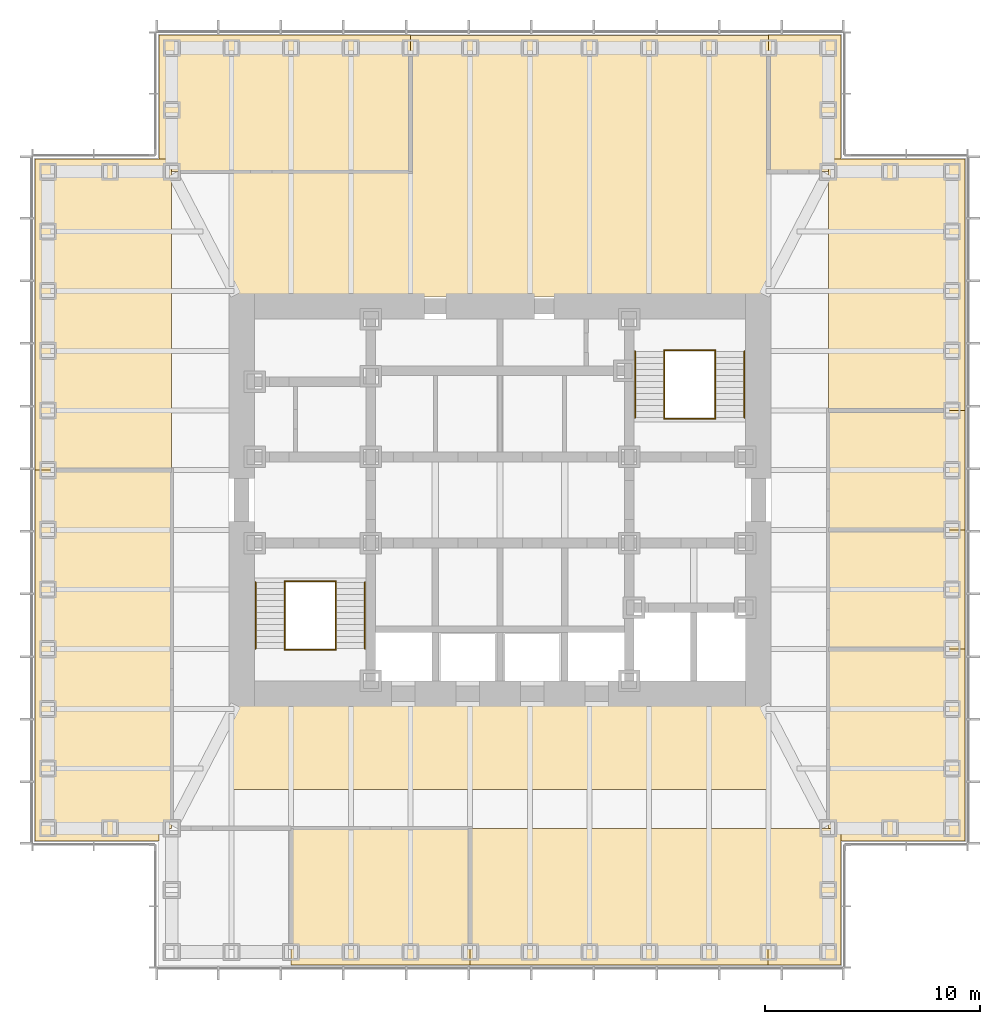
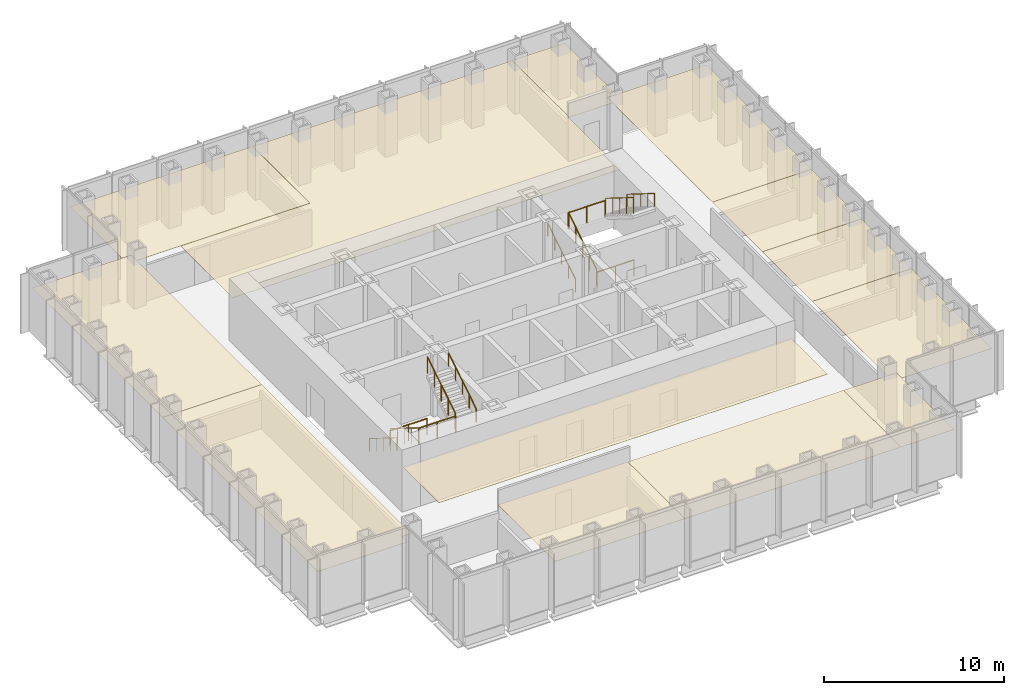
# One storey, part 16 of 16: 13 coverings, 12 railings.
"""IFC4 building model written with IfcOpenShell, lengths in metres."""

from ifc_helpers import new_model, si_unit, direction, frame, origin, origin_2d, place, context, subcontext, project, spatial, polyline, circle, outline, extrude, material, layer, layer_set, type_object, element, save


model = new_model("IFC4")

# Units and contexts
model_context = context("Model", 3, precision=1e-05, world=origin(), true_north=direction((0.0, 1.0)))
body_context = subcontext(model_context, "Body", "Model", "MODEL_VIEW")
ifc_project = project(units=[si_unit("LENGTHUNIT", "METRE"), si_unit("AREAUNIT", "SQUARE_METRE"), si_unit("VOLUMEUNIT", "CUBIC_METRE"), si_unit("PLANEANGLEUNIT", "RADIAN"), si_unit("MASSUNIT", "GRAM", prefix="KILO")], contexts=[model_context])

# Site, building, storey
site_placement = place(None, origin())
site = spatial("IfcSite", under=ifc_project, at=site_placement, CompositionType="ELEMENT")
building_placement = place(site_placement, origin())
building = spatial("IfcBuilding", under=site, at=building_placement, Name="Daluyong Arena Tower", CompositionType="ELEMENT")
storey_placement = place(building_placement, frame((0.0, 0.0, 275.5)))
storey = spatial("IfcBuildingStorey", under=building, at=storey_placement, Name="L62", CompositionType="ELEMENT", Elevation=275.5)

# Coverings
ifc_material_1 = material(Name="Mineral fibre ceiling tile", Category="gypsum board")
ifc_layer = layer(ifc_material_1, 0.02001953125)
ifc_layer_set = layer_set([ifc_layer], Name="Mineral fibre ceiling tile")
covering_type = type_object("IfcCoveringType", Name="Office ceiling", PredefinedType="CEILING", material=ifc_layer_set)
covering_1_placement = place(storey_placement, frame((0.0, 0.0, 2.89990234375)))
element("IfcCovering", 1, at=covering_1_placement, inside=storey, type_object=covering_type, Name="ceiling L62-02", PredefinedType="CEILING", context=body_context, shape_type="SweptSolid", body=[
    extrude(outline(polyline([(46.29541015625, 64.75), (46.29541015625, 58.39990234375), (54.613525390625, 58.39990234375), (54.613525390625, 64.75), (46.29541015625, 64.75)])), origin(), (0.0, 0.0, 1.0), 0.02001953125),
])
covering_2_placement = place(storey_placement, frame((0.0, 0.0, 2.89990234375)))
element("IfcCovering", 2, at=covering_2_placement, inside=storey, type_object=covering_type, Name="ceiling L62-03", PredefinedType="CEILING", context=body_context, shape_type="SweptSolid", body=[
    extrude(outline(polyline([(71.85009765625, 64.14990234375), (77.60009765625, 64.14990234375), (77.60009765625, 73.068115234375), (71.25, 73.068115234375), (71.25, 64.75), (71.85009765625, 64.75), (71.85009765625, 64.14990234375)])), origin(), (0.0, 0.0, 1.0), 0.02001953125),
])
covering_3_placement = place(storey_placement, frame((0.0, 0.0, 2.89990234375)))
element("IfcCovering", 3, at=covering_3_placement, inside=storey, type_object=covering_type, Name="ceiling L62-04", PredefinedType="CEILING", context=body_context, shape_type="SweptSolid", body=[
    extrude(outline(polyline([(71.25, 73.068115234375), (77.60009765625, 73.068115234375), (77.60009765625, 78.613525390625), (71.25, 78.613525390625), (71.25, 73.068115234375)])), origin(), (0.0, 0.0, 1.0), 0.02001953125),
])
covering_4_placement = place(storey_placement, frame((0.0, 0.0, 2.89990234375)))
element("IfcCovering", 4, at=covering_4_placement, inside=storey, type_object=covering_type, Name="ceiling L62-05", PredefinedType="CEILING", context=body_context, shape_type="SweptSolid", body=[
    extrude(outline(polyline([(71.25, 78.613525390625), (77.60009765625, 78.613525390625), (77.60009765625, 84.1591796875), (71.25, 84.1591796875), (71.25, 78.613525390625)])), origin(), (0.0, 0.0, 1.0), 0.02001953125),
])
covering_5_placement = place(storey_placement, frame((0.0, 0.0, 2.89990234375)))
element("IfcCovering", 5, at=covering_5_placement, inside=storey, type_object=covering_type, Name="ceiling L62-06", PredefinedType="CEILING", context=body_context, shape_type="SweptSolid", body=[
    extrude(outline(polyline([(51.8408203125, 95.25), (51.8408203125, 101.60009765625), (40.14990234375, 101.60009765625), (40.14990234375, 95.85009765625), (40.75, 95.85009765625), (40.75, 95.25), (51.8408203125, 95.25)])), origin(), (0.0, 0.0, 1.0), 0.02001953125),
])
covering_6_placement = place(storey_placement, frame((0.0, 0.0, 2.89990234375)))
element("IfcCovering", 6, at=covering_6_placement, inside=storey, type_object=covering_type, Name="ceiling L62-07", PredefinedType="CEILING", context=body_context, shape_type="SweptSolid", body=[
    extrude(outline(polyline([(68.477294921875, 95.25), (71.25, 95.25), (71.25, 95.85009765625), (71.85009765625, 95.85009765625), (71.85009765625, 101.60009765625), (68.477294921875, 101.60009765625), (68.477294921875, 95.25)])), origin(), (0.0, 0.0, 1.0), 0.02001953125),
])
covering_7_placement = place(storey_placement, frame((0.0, 0.0, 2.89990234375)))
element("IfcCovering", 7, at=covering_7_placement, inside=storey, type_object=covering_type, Name="ceiling L62-08", PredefinedType="CEILING", context=body_context, shape_type="SweptSolid", body=[
    extrude(outline(polyline([(34.39990234375, 64.14990234375), (40.14990234375, 64.14990234375), (40.14990234375, 64.75), (40.75, 64.75), (40.75, 81.386474609375), (34.39990234375, 81.386474609375), (34.39990234375, 64.14990234375)])), origin(), (0.0, 0.0, 1.0), 0.02001953125),
])
covering_8_placement = place(storey_placement, frame((0.0, 0.0, 2.89990234375)))
element("IfcCovering", 8, at=covering_8_placement, inside=storey, type_object=covering_type, Name="ceiling L62-10", PredefinedType="CEILING", context=body_context, shape_type="SweptSolid", body=[
    extrude(outline(polyline([(54.613525390625, 58.39990234375), (68.449951171875, 58.39990234375), (68.449951171875, 64.75), (54.613525390625, 64.75), (54.613525390625, 58.39990234375)])), origin(), (0.0, 0.0, 1.0), 0.02001953125),
])
covering_9_placement = place(storey_placement, frame((0.0, 0.0, 2.89990234375)))
element("IfcCovering", 9, at=covering_9_placement, inside=storey, type_object=covering_type, Name="ceiling L62-11", PredefinedType="CEILING", context=body_context, shape_type="SweptSolid", body=[
    extrude(outline(polyline([(68.449951171875, 66.550048828125), (68.449951171875, 70.550048828125), (43.550048828125, 70.550048828125), (43.550048828125, 66.550048828125), (68.449951171875, 66.550048828125)])), origin(), (0.0, 0.0, 1.0), 0.02001953125),
])
covering_10_placement = place(storey_placement, frame((0.0, 0.0, 2.89990234375)))
element("IfcCovering", 10, at=covering_10_placement, inside=storey, type_object=covering_type, Name="ceiling L62-12", PredefinedType="CEILING", context=body_context, shape_type="SweptSolid", body=[
    extrude(outline(polyline([(71.25, 95.85009765625), (71.25, 84.1591796875), (77.60009765625, 84.1591796875), (77.60009765625, 95.85009765625), (71.25, 95.85009765625)])), origin(), (0.0, 0.0, 1.0), 0.02001953125),
])
covering_11_placement = place(storey_placement, frame((0.0, 0.0, 2.89990234375)))
element("IfcCovering", 11, at=covering_11_placement, inside=storey, type_object=covering_type, Name="ceiling L62-13", PredefinedType="CEILING", context=body_context, shape_type="SweptSolid", body=[
    extrude(outline(polyline([(71.85009765625, 64.75), (68.449951171875, 64.75), (68.449951171875, 58.39990234375), (71.85009765625, 58.39990234375), (71.85009765625, 64.75)])), origin(), (0.0, 0.0, 1.0), 0.02001953125),
])
covering_12_placement = place(storey_placement, frame((0.0, 0.0, 2.89990234375)))
element("IfcCovering", 12, at=covering_12_placement, inside=storey, type_object=covering_type, Name="ceiling L62-14", PredefinedType="CEILING", context=body_context, shape_type="SweptSolid", body=[
    extrude(outline(polyline([(68.449462890625, 101.590087890625), (51.850830078125, 101.590087890625), (51.850830078125, 95.239990234375), (43.56005859375, 95.239990234375), (43.56005859375, 89.4599609375), (68.43994140625, 89.4599609375), (68.43994140625, 95.25), (68.477294921875, 95.250244140625), (68.477294921875, 101.60009765625), (68.449951171875, 101.60009765625), (68.449462890625, 101.590087890625)])), origin(), (0.0, 0.0, 1.0), 0.02001953125),
])
covering_13_placement = place(storey_placement, frame((0.0, 0.0, 2.89990234375)))
element("IfcCovering", 13, at=covering_13_placement, inside=storey, type_object=covering_type, Name="ceiling L62-15", PredefinedType="CEILING", context=body_context, shape_type="SweptSolid", body=[
    extrude(outline(polyline([(40.75, 95.85009765625), (34.39990234375, 95.85009765625), (34.39990234375, 81.386474609375), (40.75, 81.386474609375), (40.75, 95.85009765625)])), origin(), (0.0, 0.0, 1.0), 0.02001953125),
])

# Railings
ifc_material_2 = material(Name="Stainless steel handrail", Category="steel")
railing_type_1 = type_object("IfcRailingType", Name="Stair handrail", PredefinedType="HANDRAIL", material=ifc_material_2)
railing_1_placement = place(storey_placement, frame((44.64990234375, 76.175048828125, 0.175048828125)))
element("IfcRailing", 14, at=railing_1_placement, inside=storey, type_object=railing_type_1, Name="exit stair A handrail L62", PredefinedType="HANDRAIL", context=body_context, shape_type="SweptSolid", body=[
    extrude(circle(Radius=0.02392578125, at=origin_2d()), frame((0.0, 0.0, 0.8759765625), z_axis=(0.0, -0.847998304005, 0.529998940003), x_axis=(1.0, 0.0, 0.0)), (0.0, 0.0, 1.0), 3.632080078125),
    extrude(circle(Radius=0.02099609375, at=origin_2d()), origin(), (0.0, 0.0, 1.0), 0.851806640625),
    extrude(circle(Radius=0.02099609375, at=origin_2d()), frame((0.0, -0.77001953125, 0.481201171875)), (0.0, 0.0, 1.0), 0.851806640625),
    extrude(circle(Radius=0.02099609375, at=origin_2d()), frame((0.0, -1.5400390625, 0.96240234375)), (0.0, 0.0, 1.0), 0.851806640625),
    extrude(circle(Radius=0.02099609375, at=origin_2d()), frame((0.0, -2.31005859375, 1.44384765625)), (0.0, 0.0, 1.0), 0.851806640625),
    extrude(circle(Radius=0.02099609375, at=origin_2d()), frame((0.0, -3.080078125, 1.925048828125)), (0.0, 0.0, 1.0), 0.851806640625),
])
for number, where, name in (
    (15, (49.72509765625, 73.094970703125, 2.27490234375), "exit stair A handrail L62"),
    (16, (62.27490234375, 83.824951171875, 0.175048828125), "exit stair B handrail L62"),
):
    element("IfcRailing", number, at=place(storey_placement, frame(where)), inside=storey, type_object=railing_type_1, Name=name, PredefinedType="HANDRAIL", context=body_context, shape_type="SweptSolid", body=[
        extrude(circle(Radius=0.02392578125, at=origin_2d()), frame((0.0, 0.0, 0.8759765625), z_axis=(0.0, 0.847998304005, 0.529998940003), x_axis=(-1.0, 0.0, 0.0)), (0.0, 0.0, 1.0), 3.632080078125),
        extrude(circle(Radius=0.02099609375, at=origin_2d()), origin(), (0.0, 0.0, 1.0), 0.851806640625),
        extrude(circle(Radius=0.02099609375, at=origin_2d()), frame((0.0, 0.77001953125, 0.481201171875)), (0.0, 0.0, 1.0), 0.851806640625),
        extrude(circle(Radius=0.02099609375, at=origin_2d()), frame((0.0, 1.5400390625, 0.96240234375)), (0.0, 0.0, 1.0), 0.851806640625),
        extrude(circle(Radius=0.02099609375, at=origin_2d()), frame((0.0, 2.31005859375, 1.44384765625)), (0.0, 0.0, 1.0), 0.851806640625),
        extrude(circle(Radius=0.02099609375, at=origin_2d()), frame((0.0, 3.080078125, 1.925048828125)), (0.0, 0.0, 1.0), 0.851806640625),
    ])
railing_2_placement = place(storey_placement, frame((67.35009765625, 86.905029296875, 2.27490234375)))
element("IfcRailing", 17, at=railing_2_placement, inside=storey, type_object=railing_type_1, Name="exit stair B handrail L62", PredefinedType="HANDRAIL", context=body_context, shape_type="SweptSolid", body=[
    extrude(circle(Radius=0.02392578125, at=origin_2d()), frame((0.0, 0.0, 0.8759765625), z_axis=(0.0, -0.847998304005, 0.529998940003), x_axis=(1.0, 0.0, 0.0)), (0.0, 0.0, 1.0), 3.632080078125),
    extrude(circle(Radius=0.02099609375, at=origin_2d()), origin(), (0.0, 0.0, 1.0), 0.851806640625),
    extrude(circle(Radius=0.02099609375, at=origin_2d()), frame((0.0, -0.77001953125, 0.481201171875)), (0.0, 0.0, 1.0), 0.851806640625),
    extrude(circle(Radius=0.02099609375, at=origin_2d()), frame((0.0, -1.5400390625, 0.96240234375)), (0.0, 0.0, 1.0), 0.851806640625),
    extrude(circle(Radius=0.02099609375, at=origin_2d()), frame((0.0, -2.31005859375, 1.44384765625)), (0.0, 0.0, 1.0), 0.851806640625),
    extrude(circle(Radius=0.02099609375, at=origin_2d()), frame((0.0, -3.080078125, 1.925048828125)), (0.0, 0.0, 1.0), 0.851806640625),
])
ifc_material_3 = material(Name="Steel balustrade", Category="steel")
railing_type_2 = type_object("IfcRailingType", Name="Stair well guard 1100", PredefinedType="GUARDRAIL", material=ifc_material_3)
railing_3_placement = place(storey_placement, frame((46.0, 76.175048828125, 0.175048828125)))
element("IfcRailing", 18, at=railing_3_placement, inside=storey, type_object=railing_type_2, Name="exit stair A well guard L62", PredefinedType="GUARDRAIL", context=body_context, shape_type="SweptSolid", body=[
    extrude(circle(Radius=0.02392578125, at=origin_2d()), frame((0.0, 0.0, 1.076171875), z_axis=(0.0, -0.847998304005, 0.529998940003), x_axis=(1.0, 0.0, 0.0)), (0.0, 0.0, 1.0), 3.632080078125),
    extrude(circle(Radius=0.02099609375, at=origin_2d()), origin(), (0.0, 0.0, 1.0), 1.052001953125),
    extrude(circle(Radius=0.02099609375, at=origin_2d()), frame((0.0, -0.77001953125, 0.481201171875)), (0.0, 0.0, 1.0), 1.052001953125),
    extrude(circle(Radius=0.02099609375, at=origin_2d()), frame((0.0, -1.5400390625, 0.96240234375)), (0.0, 0.0, 1.0), 1.052001953125),
    extrude(circle(Radius=0.02099609375, at=origin_2d()), frame((0.0, -2.31005859375, 1.44384765625)), (0.0, 0.0, 1.0), 1.052001953125),
    extrude(circle(Radius=0.02099609375, at=origin_2d()), frame((0.0, -3.080078125, 1.925048828125)), (0.0, 0.0, 1.0), 1.052001953125),
])
railing_4_placement = place(storey_placement, frame((48.375, 73.094970703125, 2.27490234375)))
element("IfcRailing", 19, at=railing_4_placement, inside=storey, type_object=railing_type_2, Name="exit stair A well guard L62", PredefinedType="GUARDRAIL", context=body_context, shape_type="SweptSolid", body=[
    extrude(circle(Radius=0.02392578125, at=origin_2d()), frame((0.0, 0.0, 1.076171875), z_axis=(0.0, 0.847998304005, 0.529998940003), x_axis=(-1.0, 0.0, 0.0)), (0.0, 0.0, 1.0), 3.632080078125),
    extrude(circle(Radius=0.02099609375, at=origin_2d()), origin(), (0.0, 0.0, 1.0), 1.052001953125),
    extrude(circle(Radius=0.02099609375, at=origin_2d()), frame((0.0, 0.77001953125, 0.481201171875)), (0.0, 0.0, 1.0), 1.052001953125),
    extrude(circle(Radius=0.02099609375, at=origin_2d()), frame((0.0, 1.5400390625, 0.96240234375)), (0.0, 0.0, 1.0), 1.052001953125),
    extrude(circle(Radius=0.02099609375, at=origin_2d()), frame((0.0, 2.31005859375, 1.44384765625)), (0.0, 0.0, 1.0), 1.052001953125),
    extrude(circle(Radius=0.02099609375, at=origin_2d()), frame((0.0, 3.080078125, 1.925048828125)), (0.0, 0.0, 1.0), 1.052001953125),
])
for number, where, name in (
    (20, (46.0, 73.044921875, 2.10009765625), "exit stair A landing guard L62"),
    (21, (46.0, 76.22509765625, 0.0), "exit stair A floor landing guard L62"),
):
    element("IfcRailing", number, at=place(storey_placement, frame(where)), inside=storey, type_object=railing_type_2, Name=name, PredefinedType="GUARDRAIL", context=body_context, shape_type="SweptSolid", body=[
        extrude(circle(Radius=0.02392578125, at=origin_2d()), frame((0.0, 0.0, 1.076171875), z_axis=(1.0, 0.0, 0.0), x_axis=(0.0, 1.0, 0.0)), (0.0, 0.0, 1.0), 2.375),
        extrude(circle(Radius=0.02099609375, at=origin_2d()), origin(), (0.0, 0.0, 1.0), 1.052001953125),
        extrude(circle(Radius=0.02099609375, at=origin_2d()), frame((1.1875, 0.0, 0.0)), (0.0, 0.0, 1.0), 1.052001953125),
        extrude(circle(Radius=0.02099609375, at=origin_2d()), frame((2.375, 0.0, 0.0)), (0.0, 0.0, 1.0), 1.052001953125),
    ])
railing_5_placement = place(storey_placement, frame((63.625, 83.824951171875, 0.175048828125)))
element("IfcRailing", 22, at=railing_5_placement, inside=storey, type_object=railing_type_2, Name="exit stair B well guard L62", PredefinedType="GUARDRAIL", context=body_context, shape_type="SweptSolid", body=[
    extrude(circle(Radius=0.02392578125, at=origin_2d()), frame((0.0, 0.0, 1.076171875), z_axis=(0.0, 0.847998304005, 0.529998940003), x_axis=(-1.0, 0.0, 0.0)), (0.0, 0.0, 1.0), 3.632080078125),
    extrude(circle(Radius=0.02099609375, at=origin_2d()), origin(), (0.0, 0.0, 1.0), 1.052001953125),
    extrude(circle(Radius=0.02099609375, at=origin_2d()), frame((0.0, 0.77001953125, 0.481201171875)), (0.0, 0.0, 1.0), 1.052001953125),
    extrude(circle(Radius=0.02099609375, at=origin_2d()), frame((0.0, 1.5400390625, 0.96240234375)), (0.0, 0.0, 1.0), 1.052001953125),
    extrude(circle(Radius=0.02099609375, at=origin_2d()), frame((0.0, 2.31005859375, 1.44384765625)), (0.0, 0.0, 1.0), 1.052001953125),
    extrude(circle(Radius=0.02099609375, at=origin_2d()), frame((0.0, 3.080078125, 1.925048828125)), (0.0, 0.0, 1.0), 1.052001953125),
])
railing_6_placement = place(storey_placement, frame((66.0, 86.905029296875, 2.27490234375)))
element("IfcRailing", 23, at=railing_6_placement, inside=storey, type_object=railing_type_2, Name="exit stair B well guard L62", PredefinedType="GUARDRAIL", context=body_context, shape_type="SweptSolid", body=[
    extrude(circle(Radius=0.02392578125, at=origin_2d()), frame((0.0, 0.0, 1.076171875), z_axis=(0.0, -0.847998304005, 0.529998940003), x_axis=(1.0, 0.0, 0.0)), (0.0, 0.0, 1.0), 3.632080078125),
    extrude(circle(Radius=0.02099609375, at=origin_2d()), origin(), (0.0, 0.0, 1.0), 1.052001953125),
    extrude(circle(Radius=0.02099609375, at=origin_2d()), frame((0.0, -0.77001953125, 0.481201171875)), (0.0, 0.0, 1.0), 1.052001953125),
    extrude(circle(Radius=0.02099609375, at=origin_2d()), frame((0.0, -1.5400390625, 0.96240234375)), (0.0, 0.0, 1.0), 1.052001953125),
    extrude(circle(Radius=0.02099609375, at=origin_2d()), frame((0.0, -2.31005859375, 1.44384765625)), (0.0, 0.0, 1.0), 1.052001953125),
    extrude(circle(Radius=0.02099609375, at=origin_2d()), frame((0.0, -3.080078125, 1.925048828125)), (0.0, 0.0, 1.0), 1.052001953125),
])
for number, where, name in (
    (24, (63.625, 86.955078125, 2.10009765625), "exit stair B landing guard L62"),
    (25, (63.625, 83.77490234375, 0.0), "exit stair B floor landing guard L62"),
):
    element("IfcRailing", number, at=place(storey_placement, frame(where)), inside=storey, type_object=railing_type_2, Name=name, PredefinedType="GUARDRAIL", context=body_context, shape_type="SweptSolid", body=[
        extrude(circle(Radius=0.02392578125, at=origin_2d()), frame((0.0, 0.0, 1.076171875), z_axis=(1.0, 0.0, 0.0), x_axis=(0.0, 1.0, 0.0)), (0.0, 0.0, 1.0), 2.375),
        extrude(circle(Radius=0.02099609375, at=origin_2d()), origin(), (0.0, 0.0, 1.0), 1.052001953125),
        extrude(circle(Radius=0.02099609375, at=origin_2d()), frame((1.1875, 0.0, 0.0)), (0.0, 0.0, 1.0), 1.052001953125),
        extrude(circle(Radius=0.02099609375, at=origin_2d()), frame((2.375, 0.0, 0.0)), (0.0, 0.0, 1.0), 1.052001953125),
    ])

save(model, "model.ifc")
